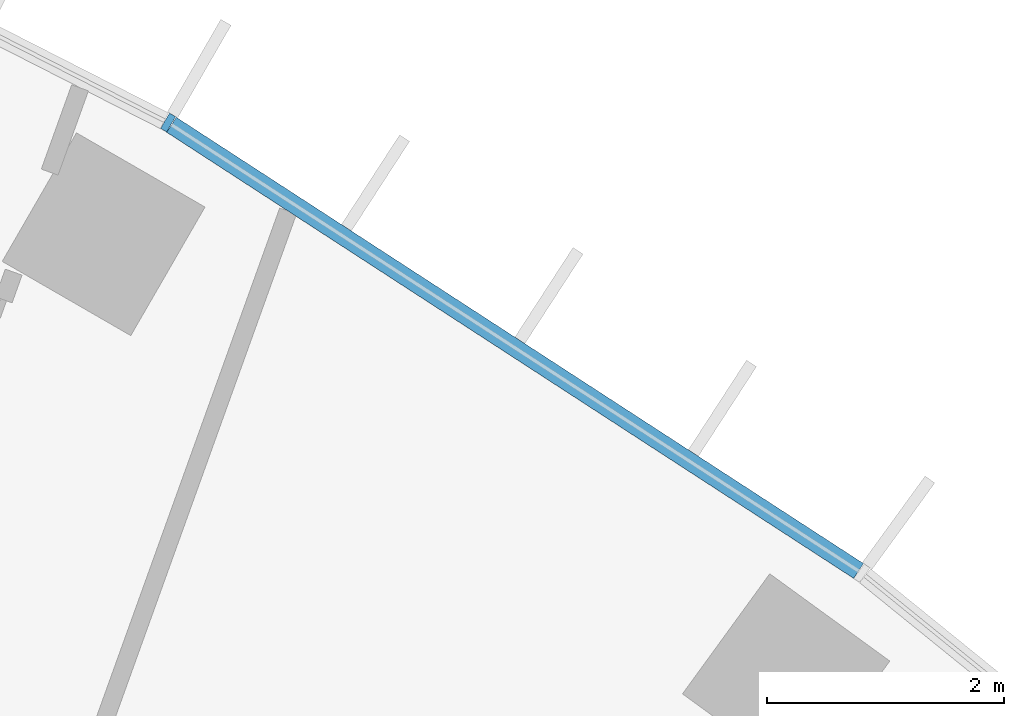
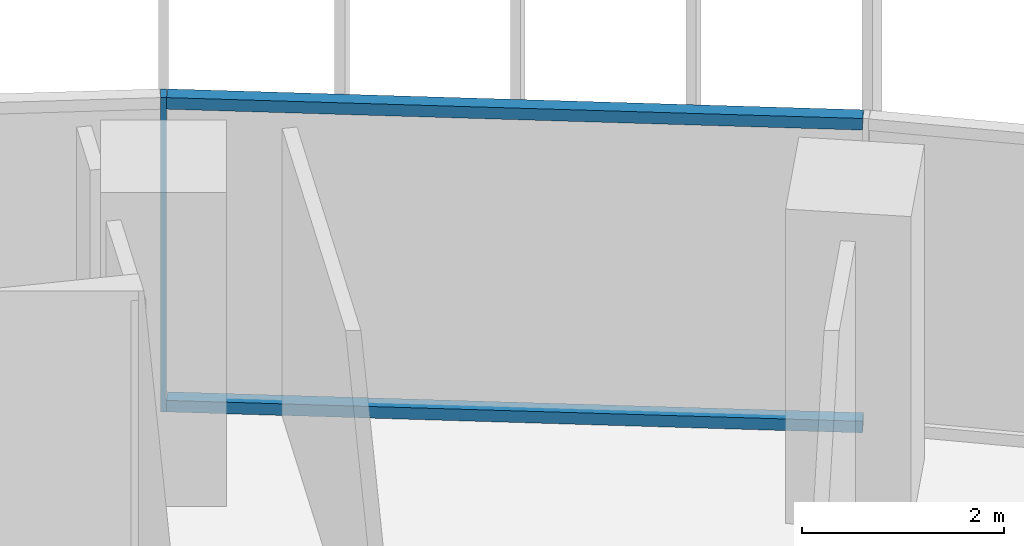
# One storey, part 13 of 24: 3 members, 1 element without a shape of its own.
"""IFC4 building model written with IfcOpenShell, lengths in metres."""

from ifc_helpers import new_model, si_unit, direction, frame, origin, origin_2d, place, context, subcontext, project, spatial, rectangle, extrude, material, layer, layer_set, material_profile, profile_set, type_object, element, aggregate, save


model = new_model("IFC4")

# Units and contexts
model_context = context("Model", 3, precision=1e-05, world=origin(), true_north=direction((0.0, 1.0)))
body_context = subcontext(model_context, "Body", "Model", "MODEL_VIEW")
ifc_project = project(units=[si_unit("LENGTHUNIT", "METRE"), si_unit("AREAUNIT", "SQUARE_METRE"), si_unit("VOLUMEUNIT", "CUBIC_METRE"), si_unit("PLANEANGLEUNIT", "RADIAN"), si_unit("MASSUNIT", "GRAM", prefix="KILO")], contexts=[model_context])

# Site, building, storey
site_placement = place(None, origin())
site = spatial("IfcSite", under=ifc_project, at=site_placement, CompositionType="ELEMENT")
building_placement = place(site_placement, origin())
building = spatial("IfcBuilding", under=site, at=building_placement, Name="Stone Belt Terrace Tower", CompositionType="ELEMENT")
storey_placement = place(building_placement, frame((0.0, 0.0, 64.199951171875)))
storey = spatial("IfcBuildingStorey", under=building, at=storey_placement, Name="L15", CompositionType="ELEMENT", Elevation=64.199951171875)

# Curtain wall, members
ifc_material = material(Name="Aluminium 6063-T6 anodised frame", Category="aluminium")
ifc_layer = layer(ifc_material, 0.14990234375)
ifc_layer_set = layer_set([ifc_layer], Name="CW-A unitised convex-face curtain wall")
curtain_wall_type = type_object("IfcCurtainWallType", Name="CW-A unitised convex-face curtain wall", PredefinedType="NOTDEFINED", material=ifc_layer_set)
curtain_wall_placement = place(storey_placement, origin())
curtain_wall = element("IfcCurtainWall", 1, at=curtain_wall_placement, inside=storey, type_object=curtain_wall_type, Name="CW-A convex face L15", PredefinedType="NOTDEFINED")
ifc_material_profile_1 = material_profile(ifc_material, rectangle(XDim=0.14990234375, YDim=0.06005859375, at=origin_2d()), Name="Aluminium 6063-T6 60x150")
ifc_profile_set_1 = profile_set([ifc_material_profile_1], Name="Aluminium 6063-T6 anodised frame")
member_type_1 = type_object("IfcMemberType", Name="CW-A mullion 60 x 150", PredefinedType="MULLION", material=ifc_profile_set_1)
member_1_placement = place(storey_placement, frame((33.28759765625, 57.65576171875, 0.0), z_axis=(0.0, 0.0, 1.0), x_axis=(-0.5, -0.866025403784, 0.0)))
member_1 = element("IfcMember", 2, at=member_1_placement, type_object=member_type_1, Name="CW-A mullion 4", PredefinedType="MULLION", context=body_context, shape_type="SweptSolid", body=[
    extrude(rectangle(XDim=0.14990234375, YDim=0.06005859375, at=origin_2d()), origin(), (0.0, 0.0, 1.0), 3.800048828125),
])
ifc_material_profile_2 = material_profile(ifc_material, rectangle(XDim=0.14990234375, YDim=0.139892578125, at=origin_2d()), Name="Aluminium 6063-T6 150x140")
ifc_profile_set_2 = profile_set([ifc_material_profile_2], Name="Aluminium 6063-T6 anodised frame")
member_type_2 = type_object("IfcMemberType", Name="CW-A transom 140 x 150", PredefinedType="USERDEFINED", material=ifc_profile_set_2)
member_2_placement = place(storey_placement, frame((39.103515625, 53.87890625, 0.070068359375), z_axis=(-0.83868440714, 0.544617723931, 0.0), x_axis=(-0.544617723931, -0.83868440714, 0.0)))
member_2 = element("IfcMember", 3, at=member_2_placement, type_object=member_type_2, Name="CW-A transom 3.1", ObjectType="TRANSOM", PredefinedType="USERDEFINED", context=body_context, shape_type="SweptSolid", body=[
    extrude(rectangle(XDim=0.14990234375, YDim=0.139892578125, at=origin_2d()), origin(), (0.0, 0.0, 1.0), 6.90087890625),
])
member_3_placement = place(storey_placement, frame((39.103515625, 53.87890625, 3.72998046875), z_axis=(-0.83868440714, 0.544617723931, 0.0), x_axis=(-0.544617723931, -0.83868440714, 0.0)))
member_3 = element("IfcMember", 4, at=member_3_placement, type_object=member_type_2, Name="CW-A transom 3.2", ObjectType="TRANSOM", PredefinedType="USERDEFINED", context=body_context, shape_type="SweptSolid", body=[
    extrude(rectangle(XDim=0.14990234375, YDim=0.139892578125, at=origin_2d()), origin(), (0.0, 0.0, 1.0), 6.90087890625),
])
aggregate(curtain_wall, [member_1, member_2, member_3])

save(model, "model.ifc")
